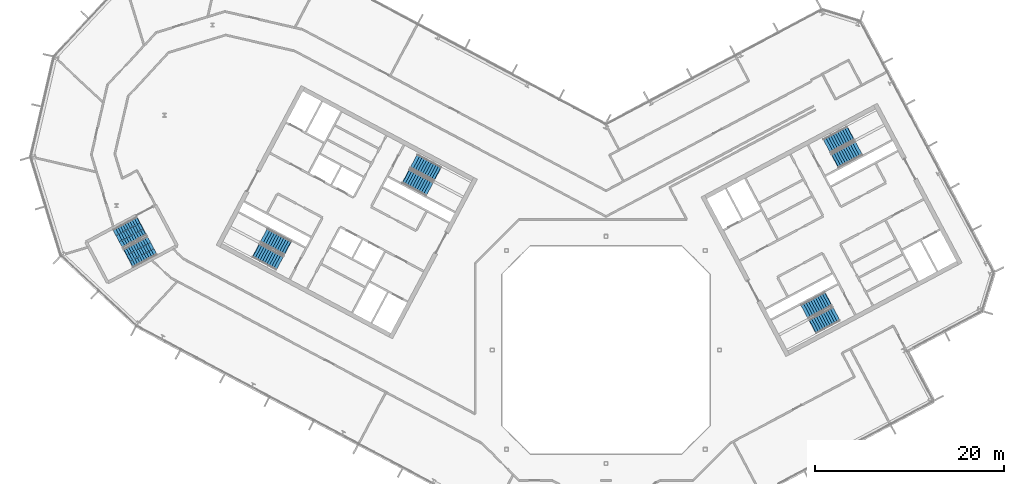
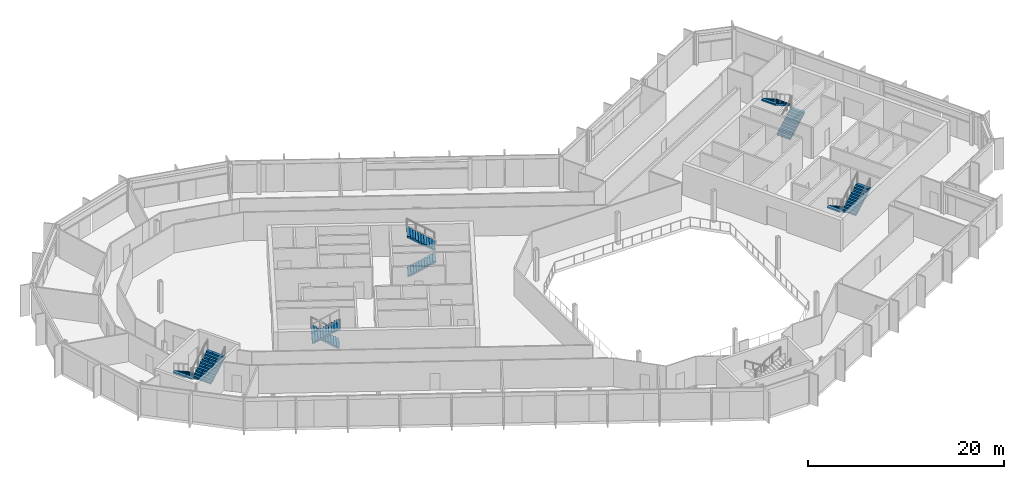
# One storey, part 18 of 26: 10 stair flights, 5 elements without a shape of their own.
"""IFC4 building model written with IfcOpenShell, lengths in metres."""

from ifc_helpers import new_model, si_unit, direction, frame, origin, place, context, subcontext, project, spatial, polyline, outline, extrude, material, type_object, element, aggregate, save


model = new_model("IFC4")

# Units and contexts
model_context = context("Model", 3, precision=1e-05, world=origin(), true_north=direction((0.0, 1.0)))
body_context = subcontext(model_context, "Body", "Model", "MODEL_VIEW")
ifc_project = project(units=[si_unit("LENGTHUNIT", "METRE"), si_unit("AREAUNIT", "SQUARE_METRE"), si_unit("VOLUMEUNIT", "CUBIC_METRE"), si_unit("PLANEANGLEUNIT", "RADIAN"), si_unit("MASSUNIT", "GRAM", prefix="KILO")], contexts=[model_context])

# Site, building, storey
site_placement = place(None, origin())
site = spatial("IfcSite", under=ifc_project, at=site_placement, CompositionType="ELEMENT")
building_placement = place(site_placement, origin())
building = spatial("IfcBuilding", under=site, at=building_placement, Name="Cormorant Relay Tower", CompositionType="ELEMENT")
storey_placement = place(building_placement, frame((0.0, 0.0, 293.10009765625)))
storey = spatial("IfcBuildingStorey", under=building, at=storey_placement, Name="L66", CompositionType="ELEMENT", Elevation=293.10009765625)

# Stair, stair flights
ifc_material_1 = material(Name="Concrete 40 MPa", Category="concrete")
stair_type_1 = type_object("IfcStairType", Name="Exit stair 1500", PredefinedType="HALF_TURN_STAIR", material=ifc_material_1)
stair_1_placement = place(storey_placement, origin())
stair_1 = element("IfcStair", 1, at=stair_1_placement, inside=storey, type_object=stair_type_1, Name="L66 Stair", PredefinedType="HALF_TURN_STAIR")
ifc_material_2 = material(Name="Concrete 40 MPa", Category="concrete")
stair_flight_type_1 = type_object("IfcStairFlightType", Name="Exit stair flight 1650", PredefinedType="STRAIGHT", material=ifc_material_2)
stair_flight_1_placement = place(storey_placement, frame((-21.114501953125, 18.33349609375, 0.0), z_axis=(0.0, 0.0, 1.0), x_axis=(0.882947592859, -0.469471562786, 0.0)))
stair_flight_1 = element("IfcStairFlight", 2, at=stair_flight_1_placement, type_object=stair_flight_type_1, Name="A1 flight 1", NumberOfRisers=11, NumberOfTreads=10, PredefinedType="STRAIGHT", RiserHeight=0.177272727, TreadLength=0.28, context=body_context, shape_type="SweptSolid", body=[
    extrude(outline(polyline([(-0.050048828125, -0.080078125), (-0.050048828125, 0.0), (0.0, 0.0), (0.0, 0.17724609375), (0.280029296875, 0.17724609375), (0.280029296875, 0.3544921875), (0.56005859375, 0.3544921875), (0.56005859375, 0.53173828125), (0.840087890625, 0.53173828125), (0.840087890625, 0.708984375), (1.1201171875, 0.708984375), (1.1201171875, 0.886474609375), (1.39990234375, 0.886474609375), (1.39990234375, 1.063720703125), (1.679931640625, 1.063720703125), (1.679931640625, 1.240966796875), (1.9599609375, 1.240966796875), (1.9599609375, 1.418212890625), (2.239990234375, 1.418212890625), (2.239990234375, 1.595458984375), (2.52001953125, 1.595458984375), (2.52001953125, 1.772705078125), (2.800048828125, 1.772705078125), (2.85009765625, 1.772705078125), (2.85009765625, 1.59521484375), (2.800048828125, 1.59521484375), (0.2802734375, 0.0), (-0.050048828125, -0.080078125)])), frame((0.0, 0.824951171875, 0.0), z_axis=(0.0, -1.0, 0.0), x_axis=(1.0, 0.0, 0.0)), (0.0, 0.0, 1.0), 1.64990234375),
])
stair_flight_2_placement = place(storey_placement, frame((-17.797119140625, 18.6083984375, 1.949951171875), z_axis=(0.0, 0.0, 1.0), x_axis=(-0.882947592859, 0.469471562786, 0.0)))
stair_flight_2 = element("IfcStairFlight", 3, at=stair_flight_2_placement, type_object=stair_flight_type_1, Name="A1 flight 2", NumberOfRisers=11, NumberOfTreads=10, PredefinedType="STRAIGHT", RiserHeight=0.177272727, TreadLength=0.28, context=body_context, shape_type="SweptSolid", body=[
    extrude(outline(polyline([(-0.050048828125, -0.080078125), (-0.050048828125, 0.0), (0.0, 0.0), (0.0, 0.17724609375), (0.280029296875, 0.17724609375), (0.280029296875, 0.3544921875), (0.56005859375, 0.3544921875), (0.56005859375, 0.53173828125), (0.840087890625, 0.53173828125), (0.840087890625, 0.708984375), (1.1201171875, 0.708984375), (1.1201171875, 0.886474609375), (1.39990234375, 0.886474609375), (1.39990234375, 1.063720703125), (1.679931640625, 1.063720703125), (1.679931640625, 1.240966796875), (1.9599609375, 1.240966796875), (1.9599609375, 1.418212890625), (2.239990234375, 1.418212890625), (2.239990234375, 1.595458984375), (2.52001953125, 1.595458984375), (2.52001953125, 1.772705078125), (2.800048828125, 1.772705078125), (2.85009765625, 1.772705078125), (2.85009765625, 1.59521484375), (2.800048828125, 1.59521484375), (0.2802734375, 0.0), (-0.050048828125, -0.080078125)])), frame((0.0, 0.824951171875, 0.0), z_axis=(0.0, -1.0, 0.0), x_axis=(1.0, 0.0, 0.0)), (0.0, 0.0, 1.0), 1.64990234375),
])
aggregate(stair_1, [stair_flight_1, stair_flight_2])

stair_2_placement = place(storey_placement, origin())
stair_2 = element("IfcStair", 4, at=stair_2_placement, inside=storey, type_object=stair_type_1, Name="L66 Stair", PredefinedType="HALF_TURN_STAIR")
stair_flight_3_placement = place(storey_placement, frame((-33.62841796875, 10.773681640625, 0.0), z_axis=(0.0, 0.0, 1.0), x_axis=(-0.882947592859, 0.469471562786, 0.0)))
stair_flight_3 = element("IfcStairFlight", 5, at=stair_flight_3_placement, type_object=stair_flight_type_1, Name="A2 flight 1", NumberOfRisers=11, NumberOfTreads=10, PredefinedType="STRAIGHT", RiserHeight=0.177272727, TreadLength=0.28, context=body_context, shape_type="SweptSolid", body=[
    extrude(outline(polyline([(-0.050048828125, -0.080078125), (-0.050048828125, 0.0), (0.0, 0.0), (0.0, 0.17724609375), (0.280029296875, 0.17724609375), (0.280029296875, 0.3544921875), (0.56005859375, 0.3544921875), (0.56005859375, 0.53173828125), (0.840087890625, 0.53173828125), (0.840087890625, 0.708984375), (1.1201171875, 0.708984375), (1.1201171875, 0.886474609375), (1.39990234375, 0.886474609375), (1.39990234375, 1.063720703125), (1.679931640625, 1.063720703125), (1.679931640625, 1.240966796875), (1.9599609375, 1.240966796875), (1.9599609375, 1.418212890625), (2.239990234375, 1.418212890625), (2.239990234375, 1.595458984375), (2.52001953125, 1.595458984375), (2.52001953125, 1.772705078125), (2.800048828125, 1.772705078125), (2.85009765625, 1.772705078125), (2.85009765625, 1.59521484375), (2.800048828125, 1.59521484375), (0.2802734375, 0.0), (-0.050048828125, -0.080078125)])), frame((0.0, 0.824951171875, 0.0), z_axis=(0.0, -1.0, 0.0), x_axis=(1.0, 0.0, 0.0)), (0.0, 0.0, 1.0), 1.64990234375),
])
stair_flight_4_placement = place(storey_placement, frame((-36.945556640625, 10.498779296875, 1.949951171875), z_axis=(0.0, 0.0, 1.0), x_axis=(0.882947592859, -0.469471562786, 0.0)))
stair_flight_4 = element("IfcStairFlight", 6, at=stair_flight_4_placement, type_object=stair_flight_type_1, Name="A2 flight 2", NumberOfRisers=11, NumberOfTreads=10, PredefinedType="STRAIGHT", RiserHeight=0.177272727, TreadLength=0.28, context=body_context, shape_type="SweptSolid", body=[
    extrude(outline(polyline([(-0.050048828125, -0.080078125), (-0.050048828125, 0.0), (0.0, 0.0), (0.0, 0.17724609375), (0.280029296875, 0.17724609375), (0.280029296875, 0.3544921875), (0.56005859375, 0.3544921875), (0.56005859375, 0.53173828125), (0.840087890625, 0.53173828125), (0.840087890625, 0.708984375), (1.1201171875, 0.708984375), (1.1201171875, 0.886474609375), (1.39990234375, 0.886474609375), (1.39990234375, 1.063720703125), (1.679931640625, 1.063720703125), (1.679931640625, 1.240966796875), (1.9599609375, 1.240966796875), (1.9599609375, 1.418212890625), (2.239990234375, 1.418212890625), (2.239990234375, 1.595458984375), (2.52001953125, 1.595458984375), (2.52001953125, 1.772705078125), (2.800048828125, 1.772705078125), (2.85009765625, 1.772705078125), (2.85009765625, 1.59521484375), (2.800048828125, 1.59521484375), (0.2802734375, 0.0), (-0.050048828125, -0.080078125)])), frame((0.0, 0.824951171875, 0.0), z_axis=(0.0, -1.0, 0.0), x_axis=(1.0, 0.0, 0.0)), (0.0, 0.0, 1.0), 1.64990234375),
])
aggregate(stair_2, [stair_flight_3, stair_flight_4])

stair_3_placement = place(storey_placement, origin())
stair_3 = element("IfcStair", 7, at=stair_3_placement, inside=storey, type_object=stair_type_1, Name="L66 Stair", PredefinedType="HALF_TURN_STAIR")
stair_flight_5_placement = place(storey_placement, frame((23.474365234375, 5.374755859375, 0.0), z_axis=(0.0, 0.0, 1.0), x_axis=(-0.882947592859, -0.469471562786, 0.0)))
stair_flight_5 = element("IfcStairFlight", 8, at=stair_flight_5_placement, type_object=stair_flight_type_1, Name="B1 flight 1", NumberOfRisers=11, NumberOfTreads=10, PredefinedType="STRAIGHT", RiserHeight=0.177272727, TreadLength=0.28, context=body_context, shape_type="SweptSolid", body=[
    extrude(outline(polyline([(-0.050048828125, -0.080078125), (-0.050048828125, 0.0), (0.0, 0.0), (0.0, 0.17724609375), (0.280029296875, 0.17724609375), (0.280029296875, 0.3544921875), (0.56005859375, 0.3544921875), (0.56005859375, 0.53173828125), (0.840087890625, 0.53173828125), (0.840087890625, 0.708984375), (1.1201171875, 0.708984375), (1.1201171875, 0.886474609375), (1.39990234375, 0.886474609375), (1.39990234375, 1.063720703125), (1.679931640625, 1.063720703125), (1.679931640625, 1.240966796875), (1.9599609375, 1.240966796875), (1.9599609375, 1.418212890625), (2.239990234375, 1.418212890625), (2.239990234375, 1.595458984375), (2.52001953125, 1.595458984375), (2.52001953125, 1.772705078125), (2.800048828125, 1.772705078125), (2.85009765625, 1.772705078125), (2.85009765625, 1.59521484375), (2.800048828125, 1.59521484375), (0.2802734375, 0.0), (-0.050048828125, -0.080078125)])), frame((0.0, 0.824951171875, 0.0), z_axis=(0.0, -1.0, 0.0), x_axis=(1.0, 0.0, 0.0)), (0.0, 0.0, 1.0), 1.64990234375),
])
stair_flight_6_placement = place(storey_placement, frame((21.84716796875, 2.470947265625, 1.949951171875), z_axis=(0.0, 0.0, 1.0), x_axis=(0.882947592859, 0.469471562786, 0.0)))
stair_flight_6 = element("IfcStairFlight", 9, at=stair_flight_6_placement, type_object=stair_flight_type_1, Name="B1 flight 2", NumberOfRisers=11, NumberOfTreads=10, PredefinedType="STRAIGHT", RiserHeight=0.177272727, TreadLength=0.28, context=body_context, shape_type="SweptSolid", body=[
    extrude(outline(polyline([(-0.050048828125, -0.080078125), (-0.050048828125, 0.0), (0.0, 0.0), (0.0, 0.17724609375), (0.280029296875, 0.17724609375), (0.280029296875, 0.3544921875), (0.56005859375, 0.3544921875), (0.56005859375, 0.53173828125), (0.840087890625, 0.53173828125), (0.840087890625, 0.708984375), (1.1201171875, 0.708984375), (1.1201171875, 0.886474609375), (1.39990234375, 0.886474609375), (1.39990234375, 1.063720703125), (1.679931640625, 1.063720703125), (1.679931640625, 1.240966796875), (1.9599609375, 1.240966796875), (1.9599609375, 1.418212890625), (2.239990234375, 1.418212890625), (2.239990234375, 1.595458984375), (2.52001953125, 1.595458984375), (2.52001953125, 1.772705078125), (2.800048828125, 1.772705078125), (2.85009765625, 1.772705078125), (2.85009765625, 1.59521484375), (2.800048828125, 1.59521484375), (0.2802734375, 0.0), (-0.050048828125, -0.080078125)])), frame((0.0, 0.824951171875, 0.0), z_axis=(0.0, -1.0, 0.0), x_axis=(1.0, 0.0, 0.0)), (0.0, 0.0, 1.0), 1.64990234375),
])
aggregate(stair_3, [stair_flight_5, stair_flight_6])

stair_4_placement = place(storey_placement, origin())
stair_4 = element("IfcStair", 10, at=stair_4_placement, inside=storey, type_object=stair_type_1, Name="L66 Stair", PredefinedType="HALF_TURN_STAIR")
stair_flight_7_placement = place(storey_placement, frame((24.20458984375, 19.976806640625, 0.0), z_axis=(0.0, 0.0, 1.0), x_axis=(0.882947592859, 0.469471562786, 0.0)))
stair_flight_7 = element("IfcStairFlight", 11, at=stair_flight_7_placement, type_object=stair_flight_type_1, Name="B2 flight 1", NumberOfRisers=11, NumberOfTreads=10, PredefinedType="STRAIGHT", RiserHeight=0.177272727, TreadLength=0.28, context=body_context, shape_type="SweptSolid", body=[
    extrude(outline(polyline([(-0.050048828125, -0.080078125), (-0.050048828125, 0.0), (0.0, 0.0), (0.0, 0.17724609375), (0.280029296875, 0.17724609375), (0.280029296875, 0.3544921875), (0.56005859375, 0.3544921875), (0.56005859375, 0.53173828125), (0.840087890625, 0.53173828125), (0.840087890625, 0.708984375), (1.1201171875, 0.708984375), (1.1201171875, 0.886474609375), (1.39990234375, 0.886474609375), (1.39990234375, 1.063720703125), (1.679931640625, 1.063720703125), (1.679931640625, 1.240966796875), (1.9599609375, 1.240966796875), (1.9599609375, 1.418212890625), (2.239990234375, 1.418212890625), (2.239990234375, 1.595458984375), (2.52001953125, 1.595458984375), (2.52001953125, 1.772705078125), (2.800048828125, 1.772705078125), (2.85009765625, 1.772705078125), (2.85009765625, 1.59521484375), (2.800048828125, 1.59521484375), (0.2802734375, 0.0), (-0.050048828125, -0.080078125)])), frame((0.0, 0.824951171875, 0.0), z_axis=(0.0, -1.0, 0.0), x_axis=(1.0, 0.0, 0.0)), (0.0, 0.0, 1.0), 1.64990234375),
])
stair_flight_8_placement = place(storey_placement, frame((25.831787109375, 22.880615234375, 1.949951171875), z_axis=(0.0, 0.0, 1.0), x_axis=(-0.882947592859, -0.469471562786, 0.0)))
stair_flight_8 = element("IfcStairFlight", 12, at=stair_flight_8_placement, type_object=stair_flight_type_1, Name="B2 flight 2", NumberOfRisers=11, NumberOfTreads=10, PredefinedType="STRAIGHT", RiserHeight=0.177272727, TreadLength=0.28, context=body_context, shape_type="SweptSolid", body=[
    extrude(outline(polyline([(-0.050048828125, -0.080078125), (-0.050048828125, 0.0), (0.0, 0.0), (0.0, 0.17724609375), (0.280029296875, 0.17724609375), (0.280029296875, 0.3544921875), (0.56005859375, 0.3544921875), (0.56005859375, 0.53173828125), (0.840087890625, 0.53173828125), (0.840087890625, 0.708984375), (1.1201171875, 0.708984375), (1.1201171875, 0.886474609375), (1.39990234375, 0.886474609375), (1.39990234375, 1.063720703125), (1.679931640625, 1.063720703125), (1.679931640625, 1.240966796875), (1.9599609375, 1.240966796875), (1.9599609375, 1.418212890625), (2.239990234375, 1.418212890625), (2.239990234375, 1.595458984375), (2.52001953125, 1.595458984375), (2.52001953125, 1.772705078125), (2.800048828125, 1.772705078125), (2.85009765625, 1.772705078125), (2.85009765625, 1.59521484375), (2.800048828125, 1.59521484375), (0.2802734375, 0.0), (-0.050048828125, -0.080078125)])), frame((0.0, 0.824951171875, 0.0), z_axis=(0.0, -1.0, 0.0), x_axis=(1.0, 0.0, 0.0)), (0.0, 0.0, 1.0), 1.64990234375),
])
aggregate(stair_4, [stair_flight_7, stair_flight_8])

ifc_material_3 = material(Name="Concrete 40 MPa", Category="concrete")
stair_type_2 = type_object("IfcStairType", Name="Remote exit stair 2200", PredefinedType="HALF_TURN_STAIR", material=ifc_material_3)
stair_5_placement = place(storey_placement, origin())
stair_5 = element("IfcStair", 13, at=stair_5_placement, inside=storey, type_object=stair_type_2, Name="L66 Stair", PredefinedType="HALF_TURN_STAIR")
ifc_material_4 = material(Name="Concrete 40 MPa", Category="concrete")
stair_flight_type_2 = type_object("IfcStairFlightType", Name="Remote exit stair flight 2200", PredefinedType="STRAIGHT", material=ifc_material_4)
stair_flight_9_placement = place(storey_placement, frame((-49.062255859375, 13.08251953125, 0.0), z_axis=(0.0, 0.0, 1.0), x_axis=(-0.882947502727, -0.4694717323, 0.0)))
stair_flight_9 = element("IfcStairFlight", 14, at=stair_flight_9_placement, type_object=stair_flight_type_2, Name="RP1 flight 1", NumberOfRisers=11, NumberOfTreads=10, PredefinedType="STRAIGHT", RiserHeight=0.177272727, TreadLength=0.28, context=body_context, shape_type="SweptSolid", body=[
    extrude(outline(polyline([(-0.050048828125, -0.080078125), (-0.050048828125, 0.0), (0.0, 0.0), (0.0, 0.17724609375), (0.280029296875, 0.17724609375), (0.280029296875, 0.3544921875), (0.56005859375, 0.3544921875), (0.56005859375, 0.53173828125), (0.840087890625, 0.53173828125), (0.840087890625, 0.708984375), (1.1201171875, 0.708984375), (1.1201171875, 0.886474609375), (1.39990234375, 0.886474609375), (1.39990234375, 1.063720703125), (1.679931640625, 1.063720703125), (1.679931640625, 1.240966796875), (1.9599609375, 1.240966796875), (1.9599609375, 1.418212890625), (2.239990234375, 1.418212890625), (2.239990234375, 1.595458984375), (2.52001953125, 1.595458984375), (2.52001953125, 1.772705078125), (2.800048828125, 1.772705078125), (2.85009765625, 1.772705078125), (2.85009765625, 1.59521484375), (2.800048828125, 1.59521484375), (0.2802734375, 0.0), (-0.050048828125, -0.080078125)])), frame((0.0, 1.10009765625, 0.0), z_axis=(0.0, -1.0, 0.0), x_axis=(1.0, 0.0, 0.0)), (0.0, 0.0, 1.0), 0.719970703125),
    extrude(outline(polyline([(-0.050048828125, -0.080078125), (-0.050048828125, 0.0), (0.0, 0.0), (0.0, 0.17724609375), (0.280029296875, 0.17724609375), (0.280029296875, 0.3544921875), (0.56005859375, 0.3544921875), (0.56005859375, 0.53173828125), (0.840087890625, 0.53173828125), (0.840087890625, 0.708984375), (1.1201171875, 0.708984375), (1.1201171875, 0.886474609375), (1.39990234375, 0.886474609375), (1.39990234375, 1.063720703125), (1.679931640625, 1.063720703125), (1.679931640625, 1.240966796875), (1.9599609375, 1.240966796875), (1.9599609375, 1.418212890625), (2.239990234375, 1.418212890625), (2.239990234375, 1.595458984375), (2.52001953125, 1.595458984375), (2.52001953125, 1.772705078125), (2.800048828125, 1.772705078125), (2.85009765625, 1.772705078125), (2.85009765625, 1.59521484375), (2.800048828125, 1.59521484375), (0.2802734375, 0.0), (-0.050048828125, -0.080078125)])), frame((0.0, 0.360107421875, 0.0), z_axis=(0.0, -1.0, 0.0), x_axis=(1.0, 0.0, 0.0)), (0.0, 0.0, 1.0), 0.719970703125),
    extrude(outline(polyline([(-0.050048828125, -0.080078125), (-0.050048828125, 0.0), (0.0, 0.0), (0.0, 0.17724609375), (0.280029296875, 0.17724609375), (0.280029296875, 0.3544921875), (0.56005859375, 0.3544921875), (0.56005859375, 0.53173828125), (0.840087890625, 0.53173828125), (0.840087890625, 0.708984375), (1.1201171875, 0.708984375), (1.1201171875, 0.886474609375), (1.39990234375, 0.886474609375), (1.39990234375, 1.063720703125), (1.679931640625, 1.063720703125), (1.679931640625, 1.240966796875), (1.9599609375, 1.240966796875), (1.9599609375, 1.418212890625), (2.239990234375, 1.418212890625), (2.239990234375, 1.595458984375), (2.52001953125, 1.595458984375), (2.52001953125, 1.772705078125), (2.800048828125, 1.772705078125), (2.85009765625, 1.772705078125), (2.85009765625, 1.59521484375), (2.800048828125, 1.59521484375), (0.2802734375, 0.0), (-0.050048828125, -0.080078125)])), frame((0.0, -0.3798828125, 0.0), z_axis=(0.0, -1.0, 0.0), x_axis=(1.0, 0.0, 0.0)), (0.0, 0.0, 1.0), 0.719970703125),
])
stair_flight_10_placement = place(storey_placement, frame((-50.431396484375, 9.693115234375, 1.949951171875), z_axis=(0.0, 0.0, 1.0), x_axis=(0.882947502727, 0.4694717323, 0.0)))
stair_flight_10 = element("IfcStairFlight", 15, at=stair_flight_10_placement, type_object=stair_flight_type_2, Name="RP1 flight 2", NumberOfRisers=11, NumberOfTreads=10, PredefinedType="STRAIGHT", RiserHeight=0.177272727, TreadLength=0.28, context=body_context, shape_type="SweptSolid", body=[
    extrude(outline(polyline([(-0.050048828125, -0.080078125), (-0.050048828125, 0.0), (0.0, 0.0), (0.0, 0.17724609375), (0.280029296875, 0.17724609375), (0.280029296875, 0.3544921875), (0.56005859375, 0.3544921875), (0.56005859375, 0.53173828125), (0.840087890625, 0.53173828125), (0.840087890625, 0.708984375), (1.1201171875, 0.708984375), (1.1201171875, 0.886474609375), (1.39990234375, 0.886474609375), (1.39990234375, 1.063720703125), (1.679931640625, 1.063720703125), (1.679931640625, 1.240966796875), (1.9599609375, 1.240966796875), (1.9599609375, 1.418212890625), (2.239990234375, 1.418212890625), (2.239990234375, 1.595458984375), (2.52001953125, 1.595458984375), (2.52001953125, 1.772705078125), (2.800048828125, 1.772705078125), (2.85009765625, 1.772705078125), (2.85009765625, 1.59521484375), (2.800048828125, 1.59521484375), (0.2802734375, 0.0), (-0.050048828125, -0.080078125)])), frame((0.0, 1.10009765625, 0.0), z_axis=(0.0, -1.0, 0.0), x_axis=(1.0, 0.0, 0.0)), (0.0, 0.0, 1.0), 0.719970703125),
    extrude(outline(polyline([(-0.050048828125, -0.080078125), (-0.050048828125, 0.0), (0.0, 0.0), (0.0, 0.17724609375), (0.280029296875, 0.17724609375), (0.280029296875, 0.3544921875), (0.56005859375, 0.3544921875), (0.56005859375, 0.53173828125), (0.840087890625, 0.53173828125), (0.840087890625, 0.708984375), (1.1201171875, 0.708984375), (1.1201171875, 0.886474609375), (1.39990234375, 0.886474609375), (1.39990234375, 1.063720703125), (1.679931640625, 1.063720703125), (1.679931640625, 1.240966796875), (1.9599609375, 1.240966796875), (1.9599609375, 1.418212890625), (2.239990234375, 1.418212890625), (2.239990234375, 1.595458984375), (2.52001953125, 1.595458984375), (2.52001953125, 1.772705078125), (2.800048828125, 1.772705078125), (2.85009765625, 1.772705078125), (2.85009765625, 1.59521484375), (2.800048828125, 1.59521484375), (0.2802734375, 0.0), (-0.050048828125, -0.080078125)])), frame((0.0, 0.360107421875, 0.0), z_axis=(0.0, -1.0, 0.0), x_axis=(1.0, 0.0, 0.0)), (0.0, 0.0, 1.0), 0.719970703125),
    extrude(outline(polyline([(-0.050048828125, -0.080078125), (-0.050048828125, 0.0), (0.0, 0.0), (0.0, 0.17724609375), (0.280029296875, 0.17724609375), (0.280029296875, 0.3544921875), (0.56005859375, 0.3544921875), (0.56005859375, 0.53173828125), (0.840087890625, 0.53173828125), (0.840087890625, 0.708984375), (1.1201171875, 0.708984375), (1.1201171875, 0.886474609375), (1.39990234375, 0.886474609375), (1.39990234375, 1.063720703125), (1.679931640625, 1.063720703125), (1.679931640625, 1.240966796875), (1.9599609375, 1.240966796875), (1.9599609375, 1.418212890625), (2.239990234375, 1.418212890625), (2.239990234375, 1.595458984375), (2.52001953125, 1.595458984375), (2.52001953125, 1.772705078125), (2.800048828125, 1.772705078125), (2.85009765625, 1.772705078125), (2.85009765625, 1.59521484375), (2.800048828125, 1.59521484375), (0.2802734375, 0.0), (-0.050048828125, -0.080078125)])), frame((0.0, -0.3798828125, 0.0), z_axis=(0.0, -1.0, 0.0), x_axis=(1.0, 0.0, 0.0)), (0.0, 0.0, 1.0), 0.719970703125),
])
aggregate(stair_5, [stair_flight_9, stair_flight_10])

save(model, "model.ifc")
